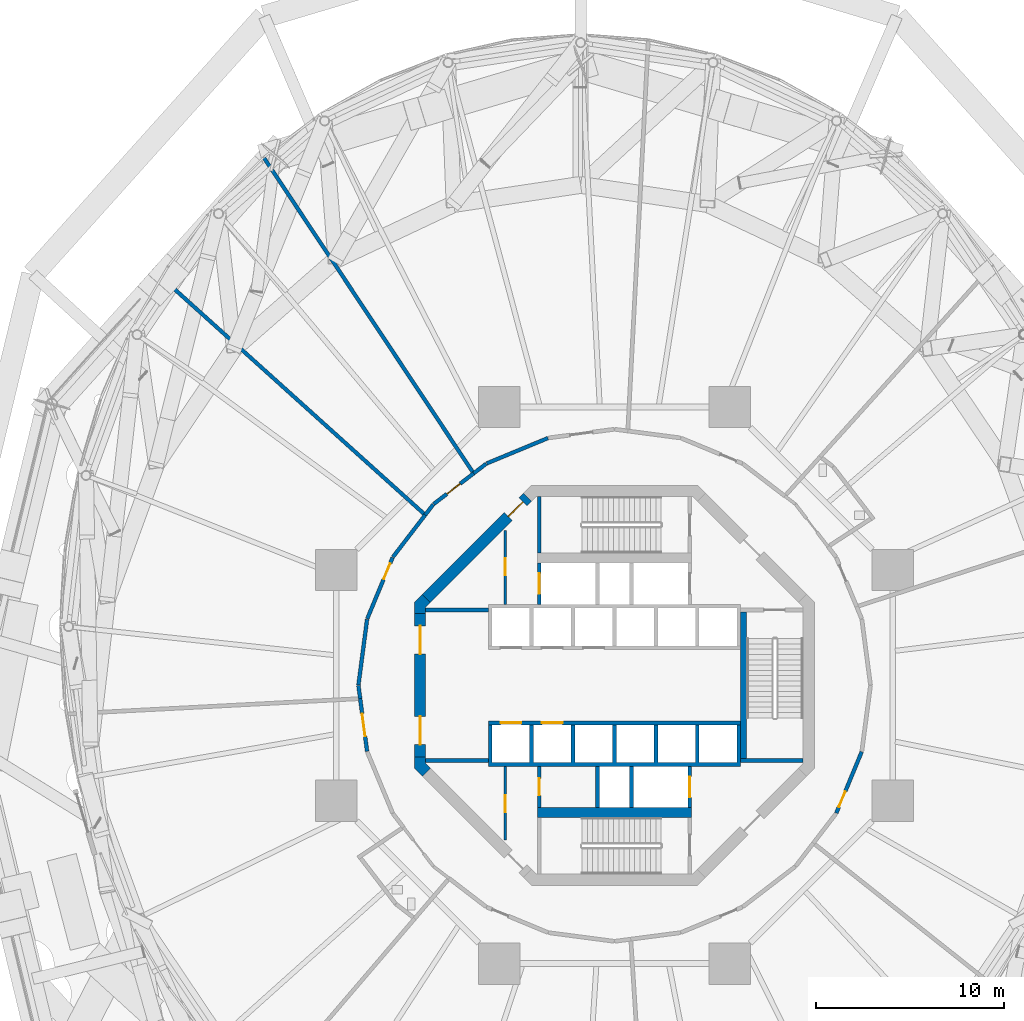
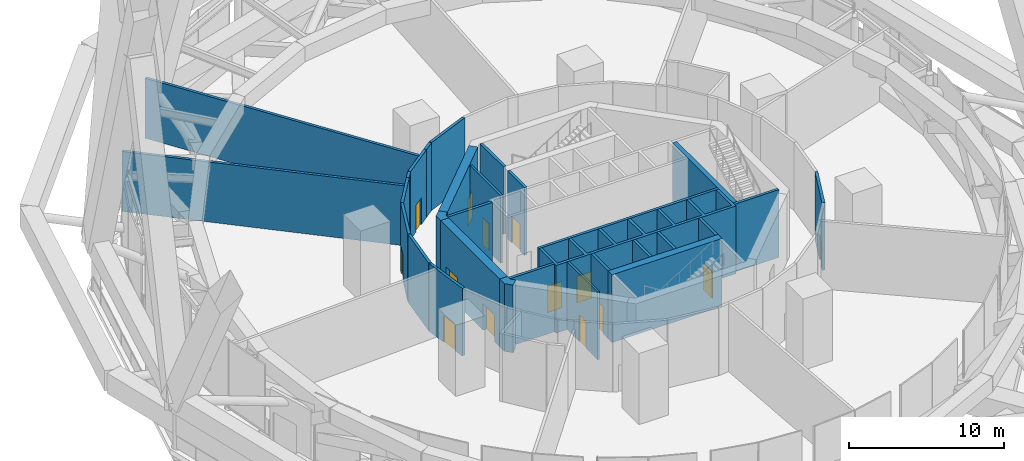
# One storey, part 54 of 65: 31 walls, 14 doors, 14 openings.
"""IFC4 building model written with IfcOpenShell, lengths in metres."""

from ifc_helpers import new_model, si_unit, direction, frame, frame_2d, origin, place, context, subcontext, project, spatial, polyline, rectangle, outline, extrude, material, layer, layer_set, type_object, element, fill, save


model = new_model("IFC4")

# Units and contexts
model_context = context("Model", 3, precision=1e-05, world=origin(), true_north=direction((0.0, 1.0)))
body_context = subcontext(model_context, "Body", "Model", "MODEL_VIEW")
ifc_project = project(units=[si_unit("LENGTHUNIT", "METRE"), si_unit("AREAUNIT", "SQUARE_METRE"), si_unit("VOLUMEUNIT", "CUBIC_METRE"), si_unit("PLANEANGLEUNIT", "RADIAN"), si_unit("MASSUNIT", "GRAM", prefix="KILO")], contexts=[model_context])

# Site, building, storey
site_placement = place(None, origin())
site = spatial("IfcSite", under=ifc_project, at=site_placement, CompositionType="ELEMENT")
building_placement = place(site_placement, origin())
building = spatial("IfcBuilding", under=site, at=building_placement, Name="Nagisa Residences", CompositionType="ELEMENT")
storey_placement = place(building_placement, frame((0.0, 0.0, 114.0)))
storey = spatial("IfcBuildingStorey", under=building, at=storey_placement, Name="L28", CompositionType="ELEMENT", Elevation=114.0)

# Wall, opening, door
ifc_material_1 = material(Name="Gypsum board on steel studs", Category="steel")
ifc_layer_1 = layer(ifc_material_1, 0.14990234375)
ifc_layer_set_1 = layer_set([ifc_layer_1], Name="Core partition 150")
wall_type_1 = type_object("IfcWallType", Name="Core partition 150", PredefinedType="PARTITIONING", material=ifc_layer_set_1)
wall_1_placement = place(storey_placement, frame((-5.800048828125, 4.300048828125, 0.0), z_axis=(0.0, 0.0, 1.0), x_axis=(0.0, 1.0, 0.0)))
wall_1 = element("IfcWall", 1, at=wall_1_placement, inside=storey, type_object=wall_type_1, Name="wall:L28:NWp", PredefinedType="PARTITIONING", context=body_context, shape_type="SweptSolid", body=[
    extrude(rectangle(XDim=3.927001953125, YDim=0.14990234375, at=frame_2d((1.96337890625, 0.0))), origin(), (0.0, 0.0, 1.0), 5.340087890625),
])
opening_1_placement = place(wall_1_placement, frame((1.551025390625, 0.0, 0.0)))
opening_1 = element("IfcOpeningElement", 2, at=opening_1_placement, cuts=wall_1, Name="Opening L28-C12", PredefinedType="OPENING", context=body_context, shape_type="SweptSolid", body=[
    extrude(rectangle(XDim=0.89990234375, YDim=2.10009765625, at=frame_2d((0.449951171875, 1.050048828125))), frame((0.0, 0.0849609375, 0.0), z_axis=(0.0, -1.0, 0.0), x_axis=(1.0, 0.0, 0.0)), (0.0, 0.0, 1.0), 0.169921875),
])
ifc_material_2 = material(Name="Steel fire door", Category="steel")
door_type_1 = type_object("IfcDoorType", Name="Fire door EI30 900x2100 single swing", OperationType="NOTDEFINED", PredefinedType="DOOR", material=ifc_material_2)
door_1_placement = place(opening_1_placement, origin())
door_1 = element("IfcDoor", 3, at=door_1_placement, inside=storey, type_object=door_type_1, Name="Staff WC door L28", OperationType="SINGLE_SWING_RIGHT", OverallHeight=2.10009765625, OverallWidth=0.89990234375, PredefinedType="DOOR", context=body_context, shape_type="SweptSolid", body=[
    extrude(rectangle(XDim=0.89990234375, YDim=2.10009765625, at=frame_2d((0.449951171875, 1.050048828125))), frame((0.0, 0.02490234375, 0.0), z_axis=(0.0, -1.0, 0.0), x_axis=(1.0, 0.0, 0.0)), (0.0, 0.0, 1.0), 0.050048828125),
])
fill(opening_1, door_1)

wall_2_placement = place(storey_placement, frame((-5.800048828125, -8.22705078125, 0.0), z_axis=(0.0, 0.0, 1.0), x_axis=(0.0, 1.0, 0.0)))
wall_2 = element("IfcWall", 4, at=wall_2_placement, inside=storey, type_object=wall_type_1, Name="wall:L28:SWp", PredefinedType="PARTITIONING", context=body_context, shape_type="SweptSolid", body=[
    extrude(rectangle(XDim=3.927001953125, YDim=0.14990234375, at=frame_2d((1.96337890625, 0.0))), origin(), (0.0, 0.0, 1.0), 5.340087890625),
])
opening_2_placement = place(wall_2_placement, frame((1.47607421875, 0.0, 0.0)))
opening_2 = element("IfcOpeningElement", 5, at=opening_2_placement, cuts=wall_2, Name="Opening L28-C13", PredefinedType="OPENING", context=body_context, shape_type="SweptSolid", body=[
    extrude(rectangle(XDim=0.89990234375, YDim=2.10009765625, at=frame_2d((0.449951171875, 1.050048828125))), frame((0.0, 0.0849609375, 0.0), z_axis=(0.0, -1.0, 0.0), x_axis=(1.0, 0.0, 0.0)), (0.0, 0.0, 1.0), 0.169921875),
])
door_2_placement = place(opening_2_placement, origin())
door_2 = element("IfcDoor", 6, at=door_2_placement, inside=storey, type_object=door_type_1, Name="Telecom room door L28", OperationType="SINGLE_SWING_RIGHT", OverallHeight=2.10009765625, OverallWidth=0.89990234375, PredefinedType="DOOR", context=body_context, shape_type="SweptSolid", body=[
    extrude(rectangle(XDim=0.89990234375, YDim=2.10009765625, at=frame_2d((0.449951171875, 1.050048828125))), frame((0.0, 0.02490234375, 0.0), z_axis=(0.0, -1.0, 0.0), x_axis=(1.0, 0.0, 0.0)), (0.0, 0.0, 1.0), 0.050048828125),
])
fill(opening_2, door_2)

# Walls
ifc_material_3 = material(Name="Gypsum board on steel studs", Category="steel")
ifc_layer_2 = layer(ifc_material_3, 0.199951171875)
ifc_layer_set_2 = layer_set([ifc_layer_2], Name="Core partition 200")
wall_type_2 = type_object("IfcWallType", Name="Core partition 200", PredefinedType="PARTITIONING", material=ifc_layer_set_2)
for number, where, z_axis, x_axis, name in (
    (7, (-10.024658203125, -4.0, 0.0), (0.0, 0.0, 1.0), (1.0, 0.0, 0.0), "wall:L28:PSW"),
    (8, (-10.024658203125, 4.0, 0.0), (0.0, 0.0, 1.0), (1.0, 0.0, 0.0), "wall:L28:PNW"),
):
    element("IfcWall", number, at=place(storey_placement, frame(where, z_axis=z_axis, x_axis=x_axis)), inside=storey, type_object=wall_type_2, Name=name, PredefinedType="PARTITIONING", context=body_context, shape_type="SweptSolid", body=[
        extrude(rectangle(XDim=3.32470703125, YDim=0.199951171875, at=frame_2d((1.662353515625, 0.0))), origin(), (0.0, 0.0, 1.0), 5.340087890625),
    ])

# Wall, opening, door
ifc_material_4 = material(Name="Concrete C60", Category="concrete")
ifc_layer_3 = layer(ifc_material_4, 0.60009765625)
ifc_layer_set_3 = layer_set([ifc_layer_3], Name="Core shear wall 600")
wall_type_3 = type_object("IfcWallType", Name="Core shear wall 600", PredefinedType="SHEAR", material=ifc_layer_set_3)
wall_3_placement = place(storey_placement, frame((-4.613037109375, 9.98828125, 0.0), z_axis=(0.0, 0.0, 1.0), x_axis=(-0.707106781187, -0.707106781187, 0.0)))
wall_3 = element("IfcWall", 9, at=wall_3_placement, inside=storey, type_object=wall_type_3, Name="wall:L28:core:flat3", PredefinedType="SHEAR", context=body_context, shape_type="SweptSolid", body=[
    extrude(rectangle(XDim=7.601806640625, YDim=0.60009765625, at=frame_2d((3.80078125, 0.0))), origin(), (0.0, 0.0, 1.0), 5.340087890625),
])
opening_3_placement = place(wall_3_placement, frame((0.350830078125, 0.0, 0.0)))
opening_3 = element("IfcOpeningElement", 10, at=opening_3_placement, cuts=wall_3, Name="Opening L28-C19", PredefinedType="OPENING", context=body_context, shape_type="SweptSolid", body=[
    extrude(rectangle(XDim=1.10009765625, YDim=2.10009765625, at=frame_2d((0.550048828125, 1.050048828125))), frame((0.0, 0.31005859375, 0.0), z_axis=(0.0, -1.0, 0.0), x_axis=(1.0, 0.0, 0.0)), (0.0, 0.0, 1.0), 0.6201171875),
])
ifc_material_5 = material(Name="Steel fire door", Category="steel")
door_type_2 = type_object("IfcDoorType", Name="Fire door EI60 1100x2100 single swing", OperationType="NOTDEFINED", PredefinedType="DOOR", material=ifc_material_5)
door_3_placement = place(opening_3_placement, origin())
door_3 = element("IfcDoor", 11, at=door_3_placement, inside=storey, type_object=door_type_2, Name="Service lobby door L28", OperationType="SINGLE_SWING_RIGHT", OverallHeight=2.10009765625, OverallWidth=1.10009765625, PredefinedType="DOOR", context=body_context, shape_type="SweptSolid", body=[
    extrude(rectangle(XDim=1.10009765625, YDim=2.10009765625, at=frame_2d((0.550048828125, 1.050048828125))), frame((0.0, 0.02490234375, 0.0), z_axis=(0.0, -1.0, 0.0), x_axis=(1.0, 0.0, 0.0)), (0.0, 0.0, 1.0), 0.050048828125),
])
fill(opening_3, door_3)

# Wall, openings, doors
wall_4_placement = place(storey_placement, frame((-10.32470703125, 3.80078125, 0.0), z_axis=(0.0, 0.0, 1.0), x_axis=(0.0, -1.0, 0.0)))
wall_4 = element("IfcWall", 12, at=wall_4_placement, inside=storey, type_object=wall_type_3, Name="wall:L28:core:flat4", PredefinedType="SHEAR", context=body_context, shape_type="SweptSolid", body=[
    extrude(rectangle(XDim=7.6015625, YDim=0.60009765625, at=frame_2d((3.80078125, 0.0))), origin(), (0.0, 0.0, 1.0), 5.340087890625),
])
opening_4_placement = place(wall_4_placement, frame((0.65087890625, 0.0, 0.0)))
opening_4 = element("IfcOpeningElement", 13, at=opening_4_placement, cuts=wall_4, Name="Opening L28-C17", PredefinedType="OPENING", context=body_context, shape_type="SweptSolid", body=[
    extrude(rectangle(XDim=1.5, YDim=2.10009765625, at=frame_2d((0.75, 1.050048828125))), frame((0.0, 0.31005859375, 0.0), z_axis=(0.0, -1.0, 0.0), x_axis=(1.0, 0.0, 0.0)), (0.0, 0.0, 1.0), 0.6201171875),
])
opening_5_placement = place(wall_4_placement, frame((5.450927734375, 0.0, 0.0)))
opening_5 = element("IfcOpeningElement", 14, at=opening_5_placement, cuts=wall_4, Name="Opening L28-C18", PredefinedType="OPENING", context=body_context, shape_type="SweptSolid", body=[
    extrude(rectangle(XDim=1.5, YDim=2.10009765625, at=frame_2d((0.75, 1.050048828125))), frame((0.0, 0.31005859375, 0.0), z_axis=(0.0, -1.0, 0.0), x_axis=(1.0, 0.0, 0.0)), (0.0, 0.0, 1.0), 0.6201171875),
])
ifc_material_6 = material(Name="Steel fire door", Category="steel")
door_type_3 = type_object("IfcDoorType", Name="Fire door EI60 1500x2100 double door single swing", OperationType="DOUBLE_DOOR_SINGLE_SWING", PredefinedType="DOOR", material=ifc_material_6)
door_4_placement = place(opening_4_placement, origin())
door_4 = element("IfcDoor", 15, at=door_4_placement, inside=storey, type_object=door_type_3, Name="Lift lobby door L28 1", OperationType="DOUBLE_DOOR_SINGLE_SWING", OverallHeight=2.10009765625, OverallWidth=1.5, PredefinedType="DOOR", context=body_context, shape_type="SweptSolid", body=[
    extrude(rectangle(XDim=1.5, YDim=2.10009765625, at=frame_2d((0.75, 1.050048828125))), frame((0.0, 0.02490234375, 0.0), z_axis=(0.0, -1.0, 0.0), x_axis=(1.0, 0.0, 0.0)), (0.0, 0.0, 1.0), 0.050048828125),
])
fill(opening_4, door_4)
door_5_placement = place(opening_5_placement, origin())
door_5 = element("IfcDoor", 16, at=door_5_placement, inside=storey, type_object=door_type_3, Name="Lift lobby door L28 2", OperationType="DOUBLE_DOOR_SINGLE_SWING", OverallHeight=2.10009765625, OverallWidth=1.5, PredefinedType="DOOR", context=body_context, shape_type="SweptSolid", body=[
    extrude(rectangle(XDim=1.5, YDim=2.10009765625, at=frame_2d((0.75, 1.050048828125))), frame((0.0, 0.02490234375, 0.0), z_axis=(0.0, -1.0, 0.0), x_axis=(1.0, 0.0, 0.0)), (0.0, 0.0, 1.0), 0.050048828125),
])
fill(opening_5, door_5)

# Walls
wall_5_placement = place(storey_placement, origin())
element("IfcWall", 17, at=wall_5_placement, inside=storey, type_object=wall_type_3, Name="wall:L28:core:pier4", PredefinedType="SHEAR", context=body_context, shape_type="SweptSolid", body=[
    extrude(outline(polyline([(-10.62451171875, -3.80078125), (-10.024658203125, -3.80078125), (-10.024658203125, -4.15234375), (-9.776123046875, -4.40087890625), (-10.200439453125, -4.8251953125), (-10.62451171875, -4.40087890625), (-10.62451171875, -3.80078125)])), origin(), (0.0, 0.0, 1.0), 5.340087890625),
])
wall_6_placement = place(storey_placement, origin())
element("IfcWall", 18, at=wall_6_placement, inside=storey, type_object=wall_type_3, Name="wall:L28:core:pier3", PredefinedType="SHEAR", context=body_context, shape_type="SweptSolid", body=[
    extrude(outline(polyline([(-10.200439453125, 4.8251953125), (-9.776123046875, 4.40087890625), (-10.024658203125, 4.15234375), (-10.024658203125, 3.80078125), (-10.62451171875, 3.80078125), (-10.62451171875, 4.40087890625), (-10.200439453125, 4.8251953125)])), origin(), (0.0, 0.0, 1.0), 5.340087890625),
])

# Wall, opening, door
ifc_material_7 = material(Name="Concrete C60", Category="concrete")
ifc_layer_4 = layer(ifc_material_7, 0.199951171875)
ifc_layer_set_4 = layer_set([ifc_layer_4], Name="Lift shaft wall 200")
wall_type_4 = type_object("IfcWallType", Name="Lift shaft wall 200", PredefinedType="SOLIDWALL", material=ifc_layer_set_4)
wall_7_placement = place(storey_placement, frame((-4.0, 4.300048828125, 0.0), z_axis=(0.0, 0.0, 1.0), x_axis=(0.0, 1.0, 0.0)))
wall_7 = element("IfcWall", 19, at=wall_7_placement, inside=storey, type_object=wall_type_4, Name="wall:L28:Nb4", PredefinedType="SOLIDWALL", context=body_context, shape_type="SweptSolid", body=[
    extrude(rectangle(XDim=2.199951171875, YDim=0.199951171875, at=frame_2d((1.10009765625, 0.0))), origin(), (0.0, 0.0, 1.0), 5.340087890625),
])
opening_6_placement = place(wall_7_placement, frame((0.550048828125, 0.0, 0.0)))
opening_6 = element("IfcOpeningElement", 20, at=opening_6_placement, cuts=wall_7, Name="Opening L28-C08", PredefinedType="OPENING", context=body_context, shape_type="SweptSolid", body=[
    extrude(rectangle(XDim=1.10009765625, YDim=2.10009765625, at=frame_2d((0.550048828125, 1.050048828125))), frame((0.0, 0.10986328125, 0.0), z_axis=(0.0, -1.0, 0.0), x_axis=(1.0, 0.0, 0.0)), (0.0, 0.0, 1.0), 0.219970703125),
])
ifc_material_8 = material(Name="Stainless steel", Category="steel")
door_type_4 = type_object("IfcDoorType", Name="Lift landing door 1100x2100", OperationType="DOUBLE_DOOR_SLIDING", PredefinedType="DOOR", material=ifc_material_8)
door_6_placement = place(opening_6_placement, origin())
door_6 = element("IfcDoor", 21, at=door_6_placement, inside=storey, type_object=door_type_4, Name="Landing door SV L28", OperationType="DOUBLE_DOOR_SLIDING", OverallHeight=2.10009765625, OverallWidth=1.10009765625, PredefinedType="DOOR", context=body_context, shape_type="SweptSolid", body=[
    extrude(rectangle(XDim=1.10009765625, YDim=2.10009765625, at=frame_2d((0.550048828125, 1.050048828125))), frame((0.0, 0.02490234375, 0.0), z_axis=(0.0, -1.0, 0.0), x_axis=(1.0, 0.0, 0.0)), (0.0, 0.0, 1.0), 0.050048828125),
])
fill(opening_6, door_6)

wall_8_placement = place(storey_placement, frame((4.0, -6.5, 0.0), z_axis=(0.0, 0.0, 1.0), x_axis=(0.0, 1.0, 0.0)))
wall_8 = element("IfcWall", 22, at=wall_8_placement, inside=storey, type_object=wall_type_4, Name="wall:L28:Sb3", PredefinedType="SOLIDWALL", context=body_context, shape_type="SweptSolid", body=[
    extrude(rectangle(XDim=2.199951171875, YDim=0.199951171875, at=frame_2d((1.10009765625, 0.0))), origin(), (0.0, 0.0, 1.0), 5.340087890625),
])
opening_7_placement = place(wall_8_placement, frame((0.550048828125, 0.0, 0.0)))
opening_7 = element("IfcOpeningElement", 23, at=opening_7_placement, cuts=wall_8, Name="Opening L28-C07", PredefinedType="OPENING", context=body_context, shape_type="SweptSolid", body=[
    extrude(rectangle(XDim=1.10009765625, YDim=2.10009765625, at=frame_2d((0.550048828125, 1.050048828125))), frame((0.0, 0.10986328125, 0.0), z_axis=(0.0, -1.0, 0.0), x_axis=(1.0, 0.0, 0.0)), (0.0, 0.0, 1.0), 0.219970703125),
])
door_7_placement = place(opening_7_placement, origin())
door_7 = element("IfcDoor", 24, at=door_7_placement, inside=storey, type_object=door_type_4, Name="Landing door FL2 L28", OperationType="DOUBLE_DOOR_SLIDING", OverallHeight=2.10009765625, OverallWidth=1.10009765625, PredefinedType="DOOR", context=body_context, shape_type="SweptSolid", body=[
    extrude(rectangle(XDim=1.10009765625, YDim=2.10009765625, at=frame_2d((0.550048828125, 1.050048828125))), frame((0.0, 0.02490234375, 0.0), z_axis=(0.0, -1.0, 0.0), x_axis=(1.0, 0.0, 0.0)), (0.0, 0.0, 1.0), 0.050048828125),
])
fill(opening_7, door_7)

wall_9_placement = place(storey_placement, frame((-4.0, -6.5, 0.0), z_axis=(0.0, 0.0, 1.0), x_axis=(0.0, 1.0, 0.0)))
wall_9 = element("IfcWall", 25, at=wall_9_placement, inside=storey, type_object=wall_type_4, Name="wall:L28:Sb4", PredefinedType="SOLIDWALL", context=body_context, shape_type="SweptSolid", body=[
    extrude(rectangle(XDim=2.199951171875, YDim=0.199951171875, at=frame_2d((1.10009765625, 0.0))), origin(), (0.0, 0.0, 1.0), 5.340087890625),
])
opening_8_placement = place(wall_9_placement, frame((0.64990234375, 0.0, 0.0)))
opening_8 = element("IfcOpeningElement", 26, at=opening_8_placement, cuts=wall_9, Name="Opening L28-C14", PredefinedType="OPENING", context=body_context, shape_type="SweptSolid", body=[
    extrude(rectangle(XDim=0.89990234375, YDim=2.10009765625, at=frame_2d((0.449951171875, 1.050048828125))), frame((0.0, 0.10986328125, 0.0), z_axis=(0.0, -1.0, 0.0), x_axis=(1.0, 0.0, 0.0)), (0.0, 0.0, 1.0), 0.219970703125),
])
door_8_placement = place(opening_8_placement, frame((0.89990234375, 0.0, 0.0), x_axis=(-1.0, 0.0, 0.0)))
door_8 = element("IfcDoor", 27, at=door_8_placement, inside=storey, type_object=door_type_1, Name="Refuse room door L28", OperationType="SINGLE_SWING_LEFT", OverallHeight=2.10009765625, OverallWidth=0.89990234375, PredefinedType="DOOR", context=body_context, shape_type="SweptSolid", body=[
    extrude(rectangle(XDim=0.89990234375, YDim=2.10009765625, at=frame_2d((0.449951171875, 1.050048828125))), frame((0.0, 0.02490234375, 0.0), z_axis=(0.0, -1.0, 0.0), x_axis=(1.0, 0.0, 0.0)), (0.0, 0.0, 1.0), 0.050048828125),
])
fill(opening_8, door_8)

# Wall, openings, doors
wall_10_placement = place(storey_placement, frame((-6.699951171875, -2.0, 0.0), z_axis=(0.0, 0.0, 1.0), x_axis=(1.0, 0.0, 0.0)))
wall_10 = element("IfcWall", 28, at=wall_10_placement, inside=storey, type_object=wall_type_4, Name="wall:L28:Sfront", PredefinedType="SOLIDWALL", context=body_context, shape_type="SweptSolid", body=[
    extrude(rectangle(XDim=13.39990234375, YDim=0.199951171875, at=frame_2d((6.699951171875, 0.0))), origin(), (0.0, 0.0, 1.0), 5.340087890625),
])
opening_9_placement = place(wall_10_placement, frame((0.64990234375, 0.0, 0.0)))
opening_9 = element("IfcOpeningElement", 29, at=opening_9_placement, cuts=wall_10, Name="Opening L28-C04", PredefinedType="OPENING", context=body_context, shape_type="SweptSolid", body=[
    extrude(rectangle(XDim=1.10009765625, YDim=2.10009765625, at=frame_2d((0.550048828125, 1.050048828125))), frame((0.0, 0.10986328125, 0.0), z_axis=(0.0, -1.0, 0.0), x_axis=(1.0, 0.0, 0.0)), (0.0, 0.0, 1.0), 0.219970703125),
])
opening_10_placement = place(wall_10_placement, frame((2.85009765625, 0.0, 0.0)))
opening_10 = element("IfcOpeningElement", 30, at=opening_10_placement, cuts=wall_10, Name="Opening L28-C05", PredefinedType="OPENING", context=body_context, shape_type="SweptSolid", body=[
    extrude(rectangle(XDim=1.10009765625, YDim=2.10009765625, at=frame_2d((0.550048828125, 1.050048828125))), frame((0.0, 0.10986328125, 0.0), z_axis=(0.0, -1.0, 0.0), x_axis=(1.0, 0.0, 0.0)), (0.0, 0.0, 1.0), 0.219970703125),
])
door_9_placement = place(opening_9_placement, origin())
door_9 = element("IfcDoor", 31, at=door_9_placement, inside=storey, type_object=door_type_4, Name="Landing door A4 L28", OperationType="DOUBLE_DOOR_SLIDING", OverallHeight=2.10009765625, OverallWidth=1.10009765625, PredefinedType="DOOR", context=body_context, shape_type="SweptSolid", body=[
    extrude(rectangle(XDim=1.10009765625, YDim=2.10009765625, at=frame_2d((0.550048828125, 1.050048828125))), frame((0.0, 0.02490234375, 0.0), z_axis=(0.0, -1.0, 0.0), x_axis=(1.0, 0.0, 0.0)), (0.0, 0.0, 1.0), 0.050048828125),
])
fill(opening_9, door_9)
door_10_placement = place(opening_10_placement, origin())
door_10 = element("IfcDoor", 32, at=door_10_placement, inside=storey, type_object=door_type_4, Name="Landing door A5 L28", OperationType="DOUBLE_DOOR_SLIDING", OverallHeight=2.10009765625, OverallWidth=1.10009765625, PredefinedType="DOOR", context=body_context, shape_type="SweptSolid", body=[
    extrude(rectangle(XDim=1.10009765625, YDim=2.10009765625, at=frame_2d((0.550048828125, 1.050048828125))), frame((0.0, 0.02490234375, 0.0), z_axis=(0.0, -1.0, 0.0), x_axis=(1.0, 0.0, 0.0)), (0.0, 0.0, 1.0), 0.050048828125),
])
fill(opening_10, door_10)

# Walls
for number, where, z_axis, x_axis, name in (
    (33, (-0.89990234375, -6.5, 0.0), (0.0, 0.0, 1.0), (0.0, 1.0, 0.0), "wall:L28:Sb1"),
    (34, (0.89990234375, -6.5, 0.0), (0.0, 0.0, 1.0), (0.0, 1.0, 0.0), "wall:L28:Sb2"),
):
    element("IfcWall", number, at=place(storey_placement, frame(where, z_axis=z_axis, x_axis=x_axis)), inside=storey, type_object=wall_type_4, Name=name, PredefinedType="SOLIDWALL", context=body_context, shape_type="SweptSolid", body=[
        extrude(rectangle(XDim=2.199951171875, YDim=0.199951171875, at=frame_2d((1.10009765625, 0.0))), origin(), (0.0, 0.0, 1.0), 5.340087890625),
    ])
wall_11_placement = place(storey_placement, origin())
element("IfcWall", 35, at=wall_11_placement, inside=storey, type_object=wall_type_4, Name="wall:L28:Sback", PredefinedType="SOLIDWALL", context=body_context, shape_type="SweptSolid", body=[
    extrude(outline(polyline([(-6.699951171875, -2.10009765625), (-6.5, -2.10009765625), (-6.5, -4.10009765625), (-4.5, -4.10009765625), (-4.5, -2.10009765625), (-4.300048828125, -2.10009765625), (-4.300048828125, -4.10009765625), (-2.300048828125, -4.10009765625), (-2.300048828125, -2.10009765625), (-2.10009765625, -2.10009765625), (-2.10009765625, -4.10009765625), (-0.10009765625, -4.10009765625), (-0.10009765625, -2.10009765625), (0.10009765625, -2.10009765625), (0.10009765625, -4.10009765625), (2.10009765625, -4.10009765625), (2.10009765625, -2.10009765625), (2.300048828125, -2.10009765625), (2.300048828125, -4.10009765625), (4.300048828125, -4.10009765625), (4.300048828125, -2.10009765625), (4.5, -2.10009765625), (4.5, -4.10009765625), (6.5, -4.10009765625), (6.5, -2.10009765625), (6.699951171875, -2.10009765625), (6.699951171875, -4.300048828125), (-6.699951171875, -4.300048828125), (-6.699951171875, -2.10009765625)])), origin(), (0.0, 0.0, 1.0), 5.340087890625),
])
ifc_material_9 = material(Name="Gypsum board on steel studs", Category="steel")
ifc_layer_5 = layer(ifc_material_9, 0.199951171875)
ifc_layer_set_5 = layer_set([ifc_layer_5], Name="Plant room wall EI120 200")
wall_type_5 = type_object("IfcWallType", Name="Plant room wall EI120 200", PredefinedType="PARTITIONING", material=ifc_layer_set_5)
wall_12_placement = place(storey_placement, frame((-13.597900390625, 0.01513671875, 0.0), z_axis=(0.0, 0.0, 1.0), x_axis=(0.130468866457, 0.991452406768, 0.0)))
element("IfcWall", 36, at=wall_12_placement, inside=storey, type_object=wall_type_5, Name="wall:L28:am004", PredefinedType="PARTITIONING", context=body_context, shape_type="SweptSolid", body=[
    extrude(rectangle(XDim=3.519775390625, YDim=0.199951171875, at=frame_2d((1.759765625, 0.0))), origin(), (0.0, 0.0, 1.0), 5.340087890625),
])
wall_13_placement = place(storey_placement, frame((-13.5068359375, -0.7080078125, 0.0), z_axis=(0.0, 0.0, 1.0), x_axis=(-0.130309917135, 0.991473310532, 0.0)))
element("IfcWall", 37, at=wall_13_placement, inside=storey, type_object=wall_type_5, Name="wall:L28:am007", PredefinedType="PARTITIONING", context=body_context, shape_type="SweptSolid", body=[
    extrude(rectangle(XDim=0.69873046875, YDim=0.199951171875, at=frame_2d((0.349365234375, 0.0))), origin(), (0.0, 0.0, 1.0), 5.340087890625),
])

# Wall, opening, door
wall_14_placement = place(storey_placement, frame((-13.138671875, -3.5048828125, 0.0), z_axis=(0.0, 0.0, 1.0), x_axis=(-0.130508241489, 0.991447224467, 0.0)))
wall_14 = element("IfcWall", 38, at=wall_14_placement, inside=storey, type_object=wall_type_5, Name="wall:L28:am008", PredefinedType="PARTITIONING", context=body_context, shape_type="SweptSolid", body=[
    extrude(rectangle(XDim=2.821044921875, YDim=0.199951171875, at=frame_2d((1.41064453125, 0.0))), origin(), (0.0, 0.0, 1.0), 5.340087890625),
])
opening_11_placement = place(wall_14_placement, frame((0.802978515625, 0.0, 0.0)))
opening_11 = element("IfcOpeningElement", 39, at=opening_11_placement, cuts=wall_14, Name="Opening L28-A08", PredefinedType="OPENING", context=body_context, shape_type="SweptSolid", body=[
    extrude(rectangle(XDim=1.199951171875, YDim=2.10009765625, at=frame_2d((0.60009765625, 1.050048828125))), frame((0.0, 0.10986328125, 0.0), z_axis=(0.0, -1.0, 0.0), x_axis=(1.0, 0.0, 0.0)), (0.0, 0.0, 1.0), 0.219970703125),
])
ifc_material_10 = material(Name="Steel fire door", Category="steel")
door_type_5 = type_object("IfcDoorType", Name="Fire door EI120 1200x2100 single swing", OperationType="NOTDEFINED", PredefinedType="DOOR", material=ifc_material_10)
door_11_placement = place(opening_11_placement, frame((1.199951171875, 0.0, 0.0), x_axis=(-1.0, 0.0, 0.0)))
door_11 = element("IfcDoor", 40, at=door_11_placement, inside=storey, type_object=door_type_5, Name="Refuge room 3 door", OperationType="SINGLE_SWING_LEFT", OverallHeight=2.10009765625, OverallWidth=1.199951171875, PredefinedType="DOOR", context=body_context, shape_type="SweptSolid", body=[
    extrude(rectangle(XDim=1.199951171875, YDim=2.10009765625, at=frame_2d((0.60009765625, 1.050048828125))), frame((0.0, 0.02490234375, 0.0), z_axis=(0.0, -1.0, 0.0), x_axis=(1.0, 0.0, 0.0)), (0.0, 0.0, 1.0), 0.050048828125),
])
fill(opening_11, door_11)

wall_15_placement = place(storey_placement, frame((-13.130859375, 3.533935546875, 0.0), z_axis=(0.0, 0.0, 1.0), x_axis=(0.382723413813, 0.92386297064, 0.0)))
wall_15 = element("IfcWall", 41, at=wall_15_placement, inside=storey, type_object=wall_type_5, Name="wall:L28:am009", PredefinedType="PARTITIONING", context=body_context, shape_type="SweptSolid", body=[
    extrude(rectangle(XDim=3.52001953125, YDim=0.199951171875, at=frame_2d((1.760009765625, 0.0))), origin(), (0.0, 0.0, 1.0), 5.340087890625),
])
opening_12_placement = place(wall_15_placement, frame((2.277587890625, 0.0, 0.0)))
opening_12 = element("IfcOpeningElement", 42, at=opening_12_placement, cuts=wall_15, Name="Opening L28-A06", PredefinedType="OPENING", context=body_context, shape_type="SweptSolid", body=[
    extrude(rectangle(XDim=0.89990234375, YDim=2.10009765625, at=frame_2d((0.449951171875, 1.050048828125))), frame((0.0, 0.10986328125, 0.0), z_axis=(0.0, -1.0, 0.0), x_axis=(1.0, 0.0, 0.0)), (0.0, 0.0, 1.0), 0.219970703125),
])
ifc_material_11 = material(Name="Steel fire door", Category="steel")
door_type_6 = type_object("IfcDoorType", Name="Fire door EI120 900x2100 single swing", OperationType="NOTDEFINED", PredefinedType="DOOR", material=ifc_material_11)
door_12_placement = place(opening_12_placement, origin())
door_12 = element("IfcDoor", 43, at=door_12_placement, inside=storey, type_object=door_type_6, Name="Pressurisation fan room door", OperationType="SINGLE_SWING_RIGHT", OverallHeight=2.10009765625, OverallWidth=0.89990234375, PredefinedType="DOOR", context=body_context, shape_type="SweptSolid", body=[
    extrude(rectangle(XDim=0.89990234375, YDim=2.10009765625, at=frame_2d((0.449951171875, 1.050048828125))), frame((0.0, 0.02490234375, 0.0), z_axis=(0.0, -1.0, 0.0), x_axis=(1.0, 0.0, 0.0)), (0.0, 0.0, 1.0), 0.050048828125),
])
fill(opening_12, door_12)

# Walls
wall_16_placement = place(storey_placement, frame((-11.7685546875, 6.81201171875, 0.0), z_axis=(0.0, 0.0, 1.0), x_axis=(0.608714921409, 0.793389024662, 0.0)))
element("IfcWall", 44, at=wall_16_placement, inside=storey, type_object=wall_type_5, Name="wall:L28:am011", PredefinedType="PARTITIONING", context=body_context, shape_type="SweptSolid", body=[
    extrude(rectangle(XDim=2.821044921875, YDim=0.199951171875, at=frame_2d((1.41064453125, 0.0))), origin(), (0.0, 0.0, 1.0), 5.340087890625),
])
wall_17_placement = place(storey_placement, frame((-10.125732421875, 9.117431640625, 0.0), z_axis=(0.0, 0.0, 1.0), x_axis=(-0.743152798172, 0.669121751679, 0.0)))
element("IfcWall", 45, at=wall_17_placement, inside=storey, type_object=wall_type_5, Name="wall:L28:am016", PredefinedType="PARTITIONING", context=body_context, shape_type="SweptSolid", body=[
    extrude(rectangle(XDim=18.72509765625, YDim=0.199951171875, at=frame_2d((9.362548828125, 0.0))), origin(), (0.0, 0.0, 1.0), 4.72802734375),
])
wall_18_placement = place(storey_placement, frame((-10.05126953125, 9.05029296875, 0.0), z_axis=(0.0, 0.0, 1.0), x_axis=(0.608629566887, 0.793454504248, 0.0)))
element("IfcWall", 46, at=wall_18_placement, inside=storey, type_object=wall_type_5, Name="wall:L28:am017", PredefinedType="PARTITIONING", context=body_context, shape_type="SweptSolid", body=[
    extrude(rectangle(XDim=0.69873046875, YDim=0.199951171875, at=frame_2d((0.349365234375, 0.0))), origin(), (0.0, 0.0, 1.0), 5.340087890625),
])

# Wall, opening, door
wall_19_placement = place(storey_placement, frame((-9.604736328125, 9.6259765625, 0.0), z_axis=(0.0, 0.0, 1.0), x_axis=(0.793412701193, 0.608684060564, 0.0)))
wall_19 = element("IfcWall", 47, at=wall_19_placement, inside=storey, type_object=wall_type_5, Name="wall:L28:am018", PredefinedType="PARTITIONING", context=body_context, shape_type="SweptSolid", body=[
    extrude(rectangle(XDim=2.678955078125, YDim=0.199951171875, at=frame_2d((1.33935546875, 0.0))), origin(), (0.0, 0.0, 1.0), 5.340087890625),
])
opening_13_placement = place(wall_19_placement, frame((0.8818359375, 0.0, 0.0)))
opening_13 = element("IfcOpeningElement", 48, at=opening_13_placement, cuts=wall_19, Name="Opening L28-A05", PredefinedType="OPENING", context=body_context, shape_type="SweptSolid", body=[
    extrude(rectangle(XDim=0.89990234375, YDim=2.10009765625, at=frame_2d((0.449951171875, 1.050048828125))), frame((0.0, 0.10986328125, 0.0), z_axis=(0.0, -1.0, 0.0), x_axis=(1.0, 0.0, 0.0)), (0.0, 0.0, 1.0), 0.219970703125),
])
door_13_placement = place(opening_13_placement, origin())
door_13 = element("IfcDoor", 49, at=door_13_placement, inside=storey, type_object=door_type_6, Name="Electrical riser room door", OperationType="SINGLE_SWING_LEFT", OverallHeight=2.10009765625, OverallWidth=0.89990234375, PredefinedType="DOOR", context=body_context, shape_type="SweptSolid", body=[
    extrude(rectangle(XDim=0.89990234375, YDim=2.10009765625, at=frame_2d((0.449951171875, 1.050048828125))), frame((0.0, 0.02490234375, 0.0), z_axis=(0.0, -1.0, 0.0), x_axis=(1.0, 0.0, 0.0)), (0.0, 0.0, 1.0), 0.050048828125),
])
fill(opening_13, door_13)

# Walls
wall_20_placement = place(storey_placement, frame((-7.53466796875, 11.340087890625, 0.0), z_axis=(0.0, 0.0, 1.0), x_axis=(-0.553405443997, 0.832912008891, 0.0)))
element("IfcWall", 50, at=wall_20_placement, inside=storey, type_object=wall_type_5, Name="wall:L28:am020", PredefinedType="PARTITIONING", context=body_context, shape_type="SweptSolid", body=[
    extrude(rectangle(XDim=20.02685546875, YDim=0.199951171875, at=frame_2d((10.013427734375, 0.0))), origin(), (0.0, 0.0, 1.0), 4.72802734375),
])
wall_21_placement = place(storey_placement, frame((-7.479248046875, 11.256591796875, 0.0), z_axis=(0.0, 0.0, 1.0), x_axis=(0.793368013161, 0.608742306476, 0.0)))
element("IfcWall", 51, at=wall_21_placement, inside=storey, type_object=wall_type_5, Name="wall:L28:am021", PredefinedType="PARTITIONING", context=body_context, shape_type="SweptSolid", body=[
    extrude(rectangle(XDim=0.841064453125, YDim=0.199951171875, at=frame_2d((0.42041015625, 0.0))), origin(), (0.0, 0.0, 1.0), 5.340087890625),
])
wall_22_placement = place(storey_placement, frame((-6.785888671875, 11.78369140625, 0.0), z_axis=(0.0, 0.0, 1.0), x_axis=(0.92386297064, 0.382723413813, 0.0)))
element("IfcWall", 52, at=wall_22_placement, inside=storey, type_object=wall_type_5, Name="wall:L28:am023", PredefinedType="PARTITIONING", context=body_context, shape_type="SweptSolid", body=[
    extrude(rectangle(XDim=3.52001953125, YDim=0.199951171875, at=frame_2d((1.760009765625, 0.0))), origin(), (0.0, 0.0, 1.0), 5.340087890625),
])

# Wall, opening, door
wall_23_placement = place(storey_placement, frame((13.130859375, -3.533935546875, 0.0), z_axis=(0.0, 0.0, 1.0), x_axis=(-0.382723413813, -0.92386297064, 0.0)))
wall_23 = element("IfcWall", 53, at=wall_23_placement, inside=storey, type_object=wall_type_5, Name="wall:L28:am047", PredefinedType="PARTITIONING", context=body_context, shape_type="SweptSolid", body=[
    extrude(rectangle(XDim=3.52001953125, YDim=0.199951171875, at=frame_2d((1.760009765625, 0.0))), origin(), (0.0, 0.0, 1.0), 5.340087890625),
])
opening_14_placement = place(wall_23_placement, frame((2.277587890625, 0.0, 0.0)))
opening_14 = element("IfcOpeningElement", 54, at=opening_14_placement, cuts=wall_23, Name="Opening L28-A11", PredefinedType="OPENING", context=body_context, shape_type="SweptSolid", body=[
    extrude(rectangle(XDim=0.89990234375, YDim=2.10009765625, at=frame_2d((0.449951171875, 1.050048828125))), frame((0.0, 0.10986328125, 0.0), z_axis=(0.0, -1.0, 0.0), x_axis=(1.0, 0.0, 0.0)), (0.0, 0.0, 1.0), 0.219970703125),
])
door_14_placement = place(opening_14_placement, origin())
door_14 = element("IfcDoor", 55, at=door_14_placement, inside=storey, type_object=door_type_6, Name="Fire pump room door", OperationType="SINGLE_SWING_LEFT", OverallHeight=2.10009765625, OverallWidth=0.89990234375, PredefinedType="DOOR", context=body_context, shape_type="SweptSolid", body=[
    extrude(rectangle(XDim=0.89990234375, YDim=2.10009765625, at=frame_2d((0.449951171875, 1.050048828125))), frame((0.0, 0.02490234375, 0.0), z_axis=(0.0, -1.0, 0.0), x_axis=(1.0, 0.0, 0.0)), (0.0, 0.0, 1.0), 0.050048828125),
])
fill(opening_14, door_14)

# Walls
ifc_material_12 = material(Name="Concrete C60", Category="concrete")
ifc_layer_6 = layer(ifc_material_12, 0.199951171875)
ifc_layer_set_6 = layer_set([ifc_layer_6], Name="Stair enclosure wall 200")
wall_type_6 = type_object("IfcWallType", Name="Stair enclosure wall 200", PredefinedType="SOLIDWALL", material=ifc_layer_set_6)
wall_24_placement = place(storey_placement, origin())
element("IfcWall", 56, at=wall_24_placement, inside=storey, type_object=wall_type_6, Name="wall:L28:SN_w", PredefinedType="SOLIDWALL", context=body_context, shape_type="SweptSolid", body=[
    extrude(outline(polyline([(-3.89990234375, 7.024658203125), (-4.10009765625, 7.024658203125), (-4.10009765625, 10.024658203125), (-3.89990234375, 10.024658203125), (-3.89990234375, 7.024658203125)])), origin(), (0.0, 0.0, 1.0), 5.340087890625),
])
wall_25_placement = place(storey_placement, origin())
element("IfcWall", 57, at=wall_25_placement, inside=storey, type_object=wall_type_6, Name="wall:L28:SS_n", PredefinedType="SOLIDWALL", context=body_context, shape_type="SweptSolid", body=[
    extrude(outline(polyline([(4.10009765625, -7.024658203125), (-4.10009765625, -7.024658203125), (-4.10009765625, -6.5), (4.10009765625, -6.5), (4.10009765625, -7.024658203125)])), origin(), (0.0, 0.0, 1.0), 5.340087890625),
])
wall_26_placement = place(storey_placement, origin())
element("IfcWall", 58, at=wall_26_placement, inside=storey, type_object=wall_type_6, Name="wall:L28:SE_w", PredefinedType="SOLIDWALL", context=body_context, shape_type="SweptSolid", body=[
    extrude(outline(polyline([(7.024658203125, -3.89990234375), (6.699951171875, -3.89990234375), (6.699951171875, 3.89990234375), (7.024658203125, 3.89990234375), (7.024658203125, -3.89990234375)])), origin(), (0.0, 0.0, 1.0), 5.340087890625),
])
wall_27_placement = place(storey_placement, origin())
element("IfcWall", 59, at=wall_27_placement, inside=storey, type_object=wall_type_6, Name="wall:L28:SE_s", PredefinedType="SOLIDWALL", context=body_context, shape_type="SweptSolid", body=[
    extrude(outline(polyline([(10.024658203125, -4.10009765625), (6.699951171875, -4.10009765625), (6.699951171875, -3.89990234375), (10.024658203125, -3.89990234375), (10.024658203125, -4.10009765625)])), origin(), (0.0, 0.0, 1.0), 5.340087890625),
])

save(model, "model.ifc")
